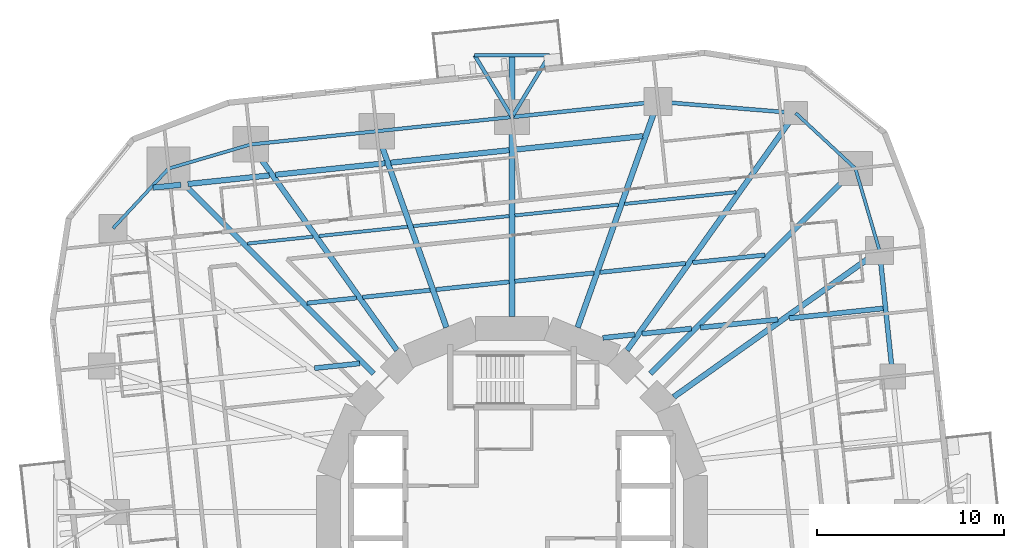
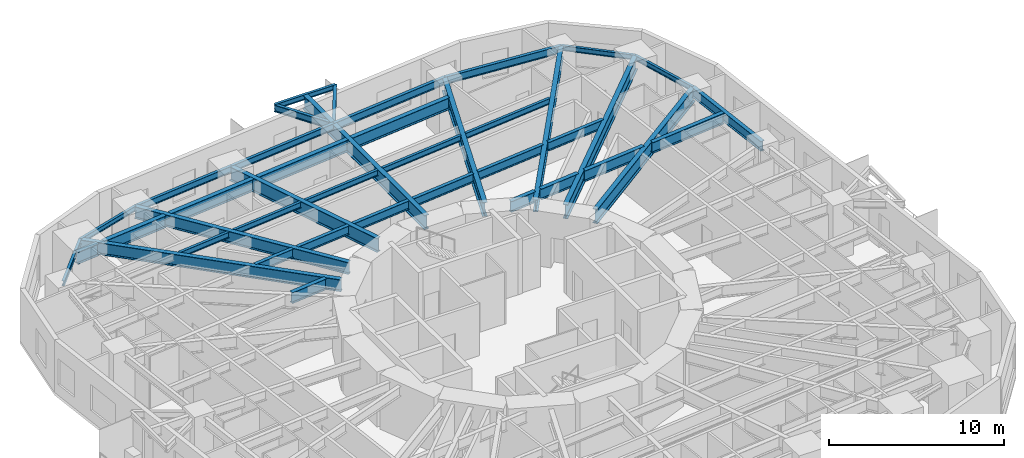
# One storey, part 3 of 14: 41 beams.
"""IFC4 building model written with IfcOpenShell, lengths in metres."""

from ifc_helpers import new_model, si_unit, direction, frame, origin, origin_2d, place, context, subcontext, project, spatial, i_section, extrude, material, material_profile, profile_set, type_object, element, save


model = new_model("IFC4")

# Units and contexts
model_context = context("Model", 3, precision=1e-05, world=origin(), true_north=direction((0.0, 1.0)))
body_context = subcontext(model_context, "Body", "Model", "MODEL_VIEW")
ifc_project = project(units=[si_unit("LENGTHUNIT", "METRE"), si_unit("AREAUNIT", "SQUARE_METRE"), si_unit("VOLUMEUNIT", "CUBIC_METRE"), si_unit("PLANEANGLEUNIT", "RADIAN"), si_unit("MASSUNIT", "GRAM", prefix="KILO")], contexts=[model_context])

# Site, building, storey
site_placement = place(None, origin())
site = spatial("IfcSite", under=ifc_project, at=site_placement, CompositionType="ELEMENT")
building_placement = place(site_placement, origin())
building = spatial("IfcBuilding", under=site, at=building_placement, Name="Nakasero Lantern House", CompositionType="ELEMENT")
storey_placement = place(building_placement, frame((0.0, 0.0, 87.449951171875)))
storey = spatial("IfcBuildingStorey", under=building, at=storey_placement, Name="L21", CompositionType="ELEMENT", Elevation=87.449951171875)

# Beams
ifc_material_1 = material(Name="Steel S355", Category="steel")
ifc_material_profile_1 = material_profile(ifc_material_1, i_section(OverallWidth=0.199462890625, OverallDepth=0.491943359375, WebThickness=0.01806640625, FlangeThickness=0.031982421875, FilletRadius=0.01025390625, at=origin_2d()), Name="UB 457x191x161")
ifc_profile_set_1 = profile_set([ifc_material_profile_1], Name="Steel S355")
beam_type_1 = type_object("IfcBeamType", Name="Balcony splay beam UB 457x191x161", PredefinedType="BEAM", material=ifc_profile_set_1)
for number, where, z_axis, x_axis, name in (
    (1, (0.0, 21.11572265625, 3.404052734375), (-0.518296107317, 0.855201230787, 0.0), (-0.855201230787, -0.518296107317, 0.0), "Balcony splay beam L22 B2-C09A"),
    (2, (0.0, 21.11572265625, 3.404052734375), (0.518296107317, 0.855201230787, 0.0), (-0.855201230787, 0.518296107317, 0.0), "Balcony splay beam L22 B2-C09B"),
):
    element("IfcBeam", number, at=place(storey_placement, frame(where, z_axis=z_axis, x_axis=x_axis)), inside=storey, type_object=beam_type_1, Name=name, PredefinedType="BEAM", context=body_context, shape_type="SweptSolid", body=[
        extrude(i_section(OverallWidth=0.199462890625, OverallDepth=0.491943359375, WebThickness=0.01806640625, FlangeThickness=0.031982421875, FilletRadius=0.01025390625, at=origin_2d()), origin(), (0.0, 0.0, 1.0), 3.85888671875),
    ])
ifc_material_2 = material(Name="Steel S355", Category="steel")
ifc_material_profile_2 = material_profile(ifc_material_2, i_section(OverallWidth=0.17138671875, OverallDepth=0.35498046875, WebThickness=0.00732421875, FlangeThickness=0.011474609375, FilletRadius=0.01025390625, at=origin_2d()), Name="UB 356x171x51")
ifc_profile_set_2 = profile_set([ifc_material_profile_2], Name="Steel S355")
beam_type_2 = type_object("IfcBeamType", Name="Balcony tie beam UB 356x171x51", PredefinedType="BEAM", material=ifc_profile_set_2)
beam_1_placement = place(storey_placement, frame((-2.0, 24.415771484375, 3.47265625), z_axis=(1.0, 0.0, 0.0), x_axis=(0.0, 1.0, 0.0)))
element("IfcBeam", 3, at=beam_1_placement, inside=storey, type_object=beam_type_2, Name="Balcony tie beam L22 B2-C09", PredefinedType="BEAM", context=body_context, shape_type="SweptSolid", body=[
    extrude(i_section(OverallWidth=0.17138671875, OverallDepth=0.35498046875, WebThickness=0.00732421875, FlangeThickness=0.011474609375, FilletRadius=0.01025390625, at=origin_2d()), origin(), (0.0, 0.0, 1.0), 4.0),
])
ifc_material_3 = material(Name="Steel S355", Category="steel")
ifc_material_profile_3 = material_profile(ifc_material_3, i_section(OverallWidth=0.177978515625, OverallDepth=0.406494140625, WebThickness=0.0078125, FlangeThickness=0.0126953125, FilletRadius=0.01025390625, at=origin_2d()), Name="UB 406x178x60")
ifc_profile_set_3 = profile_set([ifc_material_profile_3], Name="Steel S355")
beam_type_3 = type_object("IfcBeamType", Name="Infill beam UB 406x178x60", PredefinedType="JOIST", material=ifc_profile_set_3)
beam_2_placement = place(storey_placement, frame((-14.1435546875, 14.35009765625, 3.44677734375), z_axis=(0.994521415391, 0.104533029842, 0.0), x_axis=(-0.104533029842, 0.994521415391, 0.0)))
element("IfcBeam", 4, at=beam_2_placement, inside=storey, type_object=beam_type_3, Name="Infill beam L22 12.3", PredefinedType="JOIST", context=body_context, shape_type="SweptSolid", body=[
    extrude(i_section(OverallWidth=0.177978515625, OverallDepth=0.406494140625, WebThickness=0.0078125, FlangeThickness=0.0126953125, FilletRadius=0.01025390625, at=origin_2d()), origin(), (0.0, 0.0, 1.0), 3.517333984375),
])
beam_3_placement = place(storey_placement, frame((-10.3115234375, 14.7529296875, 3.44677734375), z_axis=(0.994523439889, 0.104513767091, 0.0), x_axis=(-0.104513767091, 0.994523439889, 0.0)))
element("IfcBeam", 5, at=beam_3_placement, inside=storey, type_object=beam_type_3, Name="Infill beam L22 12.4", PredefinedType="JOIST", context=body_context, shape_type="SweptSolid", body=[
    extrude(i_section(OverallWidth=0.177978515625, OverallDepth=0.406494140625, WebThickness=0.0078125, FlangeThickness=0.0126953125, FilletRadius=0.01025390625, at=origin_2d()), origin(), (0.0, 0.0, 1.0), 4.756103515625),
])
beam_4_placement = place(storey_placement, frame((-5.2744140625, 15.282470703125, 3.44677734375), z_axis=(0.994522574566, 0.104522000929, 0.0), x_axis=(-0.104522000929, 0.994522574566, 0.0)))
element("IfcBeam", 6, at=beam_4_placement, inside=storey, type_object=beam_type_3, Name="Infill beam L22 12.5", PredefinedType="JOIST", context=body_context, shape_type="SweptSolid", body=[
    extrude(i_section(OverallWidth=0.177978515625, OverallDepth=0.406494140625, WebThickness=0.0078125, FlangeThickness=0.0126953125, FilletRadius=0.01025390625, at=origin_2d()), origin(), (0.0, 0.0, 1.0), 5.15283203125),
])
beam_5_placement = place(storey_placement, frame((0.14990234375, 15.8525390625, 3.44677734375), z_axis=(0.994524188375, 0.104506644464, 0.0), x_axis=(-0.104506644464, 0.994524188375, 0.0)))
element("IfcBeam", 7, at=beam_5_placement, inside=storey, type_object=beam_type_3, Name="Infill beam L22 12.6", PredefinedType="JOIST", context=body_context, shape_type="SweptSolid", body=[
    extrude(i_section(OverallWidth=0.177978515625, OverallDepth=0.406494140625, WebThickness=0.0078125, FlangeThickness=0.0126953125, FilletRadius=0.01025390625, at=origin_2d()), origin(), (0.0, 0.0, 1.0), 5.564697265625),
])
beam_6_placement = place(storey_placement, frame((6.014892578125, 16.468994140625, 3.44677734375), z_axis=(0.994521729164, 0.104530044579, 0.0), x_axis=(-0.104530044579, 0.994521729164, 0.0)))
element("IfcBeam", 8, at=beam_6_placement, inside=storey, type_object=beam_type_3, Name="Infill beam L22 12.7", PredefinedType="JOIST", context=body_context, shape_type="SweptSolid", body=[
    extrude(i_section(OverallWidth=0.177978515625, OverallDepth=0.406494140625, WebThickness=0.0078125, FlangeThickness=0.0126953125, FilletRadius=0.01025390625, at=origin_2d()), origin(), (0.0, 0.0, 1.0), 5.99560546875),
])
ifc_material_4 = material(Name="Steel S355", Category="steel")
ifc_material_profile_4 = material_profile(ifc_material_4, i_section(OverallWidth=0.22900390625, OverallDepth=0.6123046875, WebThickness=0.011962890625, FlangeThickness=0.01953125, FilletRadius=0.0126953125, at=origin_2d()), Name="UB 610x229x125")
ifc_profile_set_4 = profile_set([ifc_material_profile_4], Name="Steel S355")
beam_type_4 = type_object("IfcBeamType", Name="Infill beam UB 610x229x125", PredefinedType="JOIST", material=ifc_profile_set_4)
beam_7_placement = place(storey_placement, frame((-10.958984375, 11.165771484375, 3.343994140625), z_axis=(0.994526079282, 0.104488648322, 0.0), x_axis=(-0.104488648322, 0.994526079282, 0.0)))
element("IfcBeam", 9, at=beam_7_placement, inside=storey, type_object=beam_type_4, Name="Infill beam L22 11.3", PredefinedType="JOIST", context=body_context, shape_type="SweptSolid", body=[
    extrude(i_section(OverallWidth=0.22900390625, OverallDepth=0.6123046875, WebThickness=0.011962890625, FlangeThickness=0.01953125, FilletRadius=0.0126953125, at=origin_2d()), origin(), (0.0, 0.0, 1.0), 2.65673828125),
])
beam_8_placement = place(storey_placement, frame((-7.983154296875, 11.478515625, 3.343994140625), z_axis=(0.994523507044, 0.104513128058, 0.0), x_axis=(-0.104513128058, 0.994523507044, 0.0)))
element("IfcBeam", 10, at=beam_8_placement, inside=storey, type_object=beam_type_4, Name="Infill beam L22 11.4", PredefinedType="JOIST", context=body_context, shape_type="SweptSolid", body=[
    extrude(i_section(OverallWidth=0.22900390625, OverallDepth=0.6123046875, WebThickness=0.011962890625, FlangeThickness=0.01953125, FilletRadius=0.0126953125, at=origin_2d()), origin(), (0.0, 0.0, 1.0), 3.627685546875),
])
beam_9_placement = place(storey_placement, frame((-4.068359375, 11.889892578125, 3.343994140625), z_axis=(0.994521399206, 0.104533183829, 0.0), x_axis=(-0.104533183829, 0.994521399206, 0.0)))
element("IfcBeam", 11, at=beam_9_placement, inside=storey, type_object=beam_type_4, Name="Infill beam L22 11.5", PredefinedType="JOIST", context=body_context, shape_type="SweptSolid", body=[
    extrude(i_section(OverallWidth=0.22900390625, OverallDepth=0.6123046875, WebThickness=0.011962890625, FlangeThickness=0.01953125, FilletRadius=0.0126953125, at=origin_2d()), origin(), (0.0, 0.0, 1.0), 3.93994140625),
])
beam_10_placement = place(storey_placement, frame((0.14990234375, 12.333251953125, 3.343994140625), z_axis=(0.994521465317, 0.104532554847, 0.0), x_axis=(-0.104532554847, 0.994521465317, 0.0)))
element("IfcBeam", 12, at=beam_10_placement, inside=storey, type_object=beam_type_4, Name="Infill beam L22 11.6", PredefinedType="JOIST", context=body_context, shape_type="SweptSolid", body=[
    extrude(i_section(OverallWidth=0.22900390625, OverallDepth=0.6123046875, WebThickness=0.011962890625, FlangeThickness=0.01953125, FilletRadius=0.0126953125, at=origin_2d()), origin(), (0.0, 0.0, 1.0), 4.2578125),
])
beam_11_placement = place(storey_placement, frame((4.71484375, 12.81298828125, 3.343994140625), z_axis=(0.994522952874, 0.104518401282, 0.0), x_axis=(-0.104518401282, 0.994522952874, 0.0)))
element("IfcBeam", 13, at=beam_11_placement, inside=storey, type_object=beam_type_4, Name="Infill beam L22 11.7", PredefinedType="JOIST", context=body_context, shape_type="SweptSolid", body=[
    extrude(i_section(OverallWidth=0.22900390625, OverallDepth=0.6123046875, WebThickness=0.011962890625, FlangeThickness=0.01953125, FilletRadius=0.0126953125, at=origin_2d()), origin(), (0.0, 0.0, 1.0), 4.5830078125),
])
beam_12_placement = place(storey_placement, frame((9.66064453125, 13.332763671875, 3.343994140625), z_axis=(0.99451886442, 0.10455729679, 0.0), x_axis=(-0.10455729679, 0.99451886442, 0.0)))
element("IfcBeam", 14, at=beam_12_placement, inside=storey, type_object=beam_type_4, Name="Infill beam L22 11.8", PredefinedType="JOIST", context=body_context, shape_type="SweptSolid", body=[
    extrude(i_section(OverallWidth=0.22900390625, OverallDepth=0.6123046875, WebThickness=0.011962890625, FlangeThickness=0.01953125, FilletRadius=0.0126953125, at=origin_2d()), origin(), (0.0, 0.0, 1.0), 3.8876953125),
])
ifc_material_5 = material(Name="Steel S355", Category="steel")
ifc_material_profile_5 = material_profile(ifc_material_5, i_section(OverallWidth=0.2666015625, OverallDepth=0.76220703125, WebThickness=0.014404296875, FlangeThickness=0.021484375, FilletRadius=0.0166015625, at=origin_2d()), Name="UB 762x267x173")
ifc_profile_set_5 = profile_set([ifc_material_profile_5], Name="Steel S355")
beam_type_5 = type_object("IfcBeamType", Name="Infill beam UB 762x267x173", PredefinedType="JOIST", material=ifc_profile_set_5)
beam_13_placement = place(storey_placement, frame((-10.5537109375, 7.68896484375, 3.26904296875), z_axis=(0.99452700398, 0.104479846642, 0.0), x_axis=(-0.104479846642, 0.99452700398, 0.0)))
element("IfcBeam", 15, at=beam_13_placement, inside=storey, type_object=beam_type_5, Name="Infill beam L22 10.3", PredefinedType="JOIST", context=body_context, shape_type="SweptSolid", body=[
    extrude(i_section(OverallWidth=0.2666015625, OverallDepth=0.76220703125, WebThickness=0.014404296875, FlangeThickness=0.021484375, FilletRadius=0.0166015625, at=origin_2d()), origin(), (0.0, 0.0, 1.0), 2.41845703125),
])
beam_14_placement = place(storey_placement, frame((4.85498046875, 9.30859375, 3.26904296875), z_axis=(0.994529501552, 0.104456069922, 0.0), x_axis=(-0.104456069922, 0.994529501552, 0.0)))
element("IfcBeam", 16, at=beam_14_placement, inside=storey, type_object=beam_type_5, Name="Infill beam L22 10.4", PredefinedType="JOIST", context=body_context, shape_type="SweptSolid", body=[
    extrude(i_section(OverallWidth=0.2666015625, OverallDepth=0.76220703125, WebThickness=0.014404296875, FlangeThickness=0.021484375, FilletRadius=0.0166015625, at=origin_2d()), origin(), (0.0, 0.0, 1.0), 1.72265625),
])
beam_15_placement = place(storey_placement, frame((6.955810546875, 9.529296875, 3.26904296875), z_axis=(0.994521575627, 0.104531505358, 0.0), x_axis=(-0.104531505358, 0.994521575627, 0.0)))
element("IfcBeam", 17, at=beam_15_placement, inside=storey, type_object=beam_type_5, Name="Infill beam L22 10.5", PredefinedType="JOIST", context=body_context, shape_type="SweptSolid", body=[
    extrude(i_section(OverallWidth=0.2666015625, OverallDepth=0.76220703125, WebThickness=0.014404296875, FlangeThickness=0.021484375, FilletRadius=0.0166015625, at=origin_2d()), origin(), (0.0, 0.0, 1.0), 2.6533203125),
])
beam_16_placement = place(storey_placement, frame((10.068603515625, 9.8564453125, 3.26904296875), z_axis=(0.994522134672, 0.104526186418, 0.0), x_axis=(-0.104526186418, 0.994522134672, 0.0)))
element("IfcBeam", 18, at=beam_16_placement, inside=storey, type_object=beam_type_5, Name="Infill beam L22 10.6", PredefinedType="JOIST", context=body_context, shape_type="SweptSolid", body=[
    extrude(i_section(OverallWidth=0.2666015625, OverallDepth=0.76220703125, WebThickness=0.014404296875, FlangeThickness=0.021484375, FilletRadius=0.0166015625, at=origin_2d()), origin(), (0.0, 0.0, 1.0), 4.166748046875),
])
beam_17_placement = place(storey_placement, frame((14.823974609375, 10.356201171875, 3.26904296875), z_axis=(0.994520551882, 0.104541244898, 0.0), x_axis=(-0.104541244898, 0.994520551882, 0.0)))
element("IfcBeam", 19, at=beam_17_placement, inside=storey, type_object=beam_type_5, Name="Infill beam L22 10.7", PredefinedType="JOIST", context=body_context, shape_type="SweptSolid", body=[
    extrude(i_section(OverallWidth=0.2666015625, OverallDepth=0.76220703125, WebThickness=0.014404296875, FlangeThickness=0.021484375, FilletRadius=0.0166015625, at=origin_2d()), origin(), (0.0, 0.0, 1.0), 5.046630859375),
])
ifc_material_6 = material(Name="Steel S355", Category="steel")
ifc_material_profile_6 = material_profile(ifc_material_6, i_section(OverallWidth=0.29248046875, OverallDepth=0.8408203125, WebThickness=0.0146484375, FlangeThickness=0.02685546875, FilletRadius=0.017822265625, at=origin_2d()), Name="UB 838x292x194")
ifc_profile_set_6 = profile_set([ifc_material_profile_6], Name="Steel S355")
beam_type_6 = type_object("IfcBeamType", Name="Infill beam UB 838x292x194", PredefinedType="JOIST", material=ifc_profile_set_6)
beam_18_placement = place(storey_placement, frame((-19.190673828125, 17.339111328125, 3.229736328125), z_axis=(0.994535800288, 0.104396082038, 0.0), x_axis=(-0.104396082038, 0.994535800288, 0.0)))
element("IfcBeam", 20, at=beam_18_placement, inside=storey, type_object=beam_type_6, Name="Infill beam L22 13.1", PredefinedType="JOIST", context=body_context, shape_type="SweptSolid", body=[
    extrude(i_section(OverallWidth=0.29248046875, OverallDepth=0.8408203125, WebThickness=0.0146484375, FlangeThickness=0.02685546875, FilletRadius=0.017822265625, at=origin_2d()), origin(), (0.0, 0.0, 1.0), 1.49658203125),
])
beam_19_placement = place(storey_placement, frame((-17.328125, 17.53466796875, 3.229736328125), z_axis=(0.994518584312, 0.104559961062, 0.0), x_axis=(-0.104559961062, 0.994518584312, 0.0)))
element("IfcBeam", 21, at=beam_19_placement, inside=storey, type_object=beam_type_6, Name="Infill beam L22 13.2", PredefinedType="JOIST", context=body_context, shape_type="SweptSolid", body=[
    extrude(i_section(OverallWidth=0.29248046875, OverallDepth=0.8408203125, WebThickness=0.0146484375, FlangeThickness=0.02685546875, FilletRadius=0.017822265625, at=origin_2d()), origin(), (0.0, 0.0, 1.0), 4.3779296875),
])
beam_20_placement = place(storey_placement, frame((-12.64013671875, 18.027587890625, 3.229736328125), z_axis=(0.994524304789, 0.104505536616, 0.0), x_axis=(-0.104505536616, 0.994524304789, 0.0)))
element("IfcBeam", 22, at=beam_20_placement, inside=storey, type_object=beam_type_6, Name="Infill beam L22 13.3", PredefinedType="JOIST", context=body_context, shape_type="SweptSolid", body=[
    extrude(i_section(OverallWidth=0.29248046875, OverallDepth=0.8408203125, WebThickness=0.0146484375, FlangeThickness=0.02685546875, FilletRadius=0.017822265625, at=origin_2d()), origin(), (0.0, 0.0, 1.0), 5.884765625),
])
beam_21_placement = place(storey_placement, frame((-6.480712890625, 18.6748046875, 3.229736328125), z_axis=(0.994519733917, 0.104549026056, 0.0), x_axis=(-0.104549026056, 0.994519733917, 0.0)))
element("IfcBeam", 23, at=beam_21_placement, inside=storey, type_object=beam_type_6, Name="Infill beam L22 13.4", PredefinedType="JOIST", context=body_context, shape_type="SweptSolid", body=[
    extrude(i_section(OverallWidth=0.29248046875, OverallDepth=0.8408203125, WebThickness=0.0146484375, FlangeThickness=0.02685546875, FilletRadius=0.017822265625, at=origin_2d()), origin(), (0.0, 0.0, 1.0), 6.36572265625),
])
beam_22_placement = place(storey_placement, frame((0.14990234375, 19.371826171875, 3.229736328125), z_axis=(0.994522182542, 0.10452573096, 0.0), x_axis=(-0.10452573096, 0.994522182542, 0.0)))
element("IfcBeam", 24, at=beam_22_placement, inside=storey, type_object=beam_type_6, Name="Infill beam L22 13.5", PredefinedType="JOIST", context=body_context, shape_type="SweptSolid", body=[
    extrude(i_section(OverallWidth=0.29248046875, OverallDepth=0.8408203125, WebThickness=0.0146484375, FlangeThickness=0.02685546875, FilletRadius=0.017822265625, at=origin_2d()), origin(), (0.0, 0.0, 1.0), 6.87158203125),
])
ifc_material_7 = material(Name="Steel S355", Category="steel")
ifc_material_profile_7 = material_profile(ifc_material_7, i_section(OverallWidth=0.300048828125, OverallDepth=0.97998046875, WebThickness=0.0166015625, FlangeThickness=0.02587890625, FilletRadius=0.030029296875, at=origin_2d()), Name="UB 1016x305x249")
ifc_profile_set_7 = profile_set([ifc_material_profile_7], Name="Steel S355")
beam_type_7 = type_object("IfcBeamType", Name="Primary beam UB 1016x305x249, span 12 to 15 m", PredefinedType="BEAM", material=ifc_profile_set_7)
beam_23_placement = place(storey_placement, frame((7.79931640625, 21.935302734375, 3.159912109375), z_axis=(-0.335017564047, -0.942211882636, 0.0), x_axis=(0.942211882636, -0.335017564047, 0.0)))
element("IfcBeam", 25, at=beam_23_placement, inside=storey, type_object=beam_type_7, Name="Primary beam L22 B2-C08", PredefinedType="BEAM", context=body_context, shape_type="SweptSolid", body=[
    extrude(i_section(OverallWidth=0.300048828125, OverallDepth=0.97998046875, WebThickness=0.0166015625, FlangeThickness=0.02587890625, FilletRadius=0.030029296875, at=origin_2d()), origin(), (0.0, 0.0, 1.0), 12.80908203125),
])
ifc_material_8 = material(Name="Steel S355", Category="steel")
ifc_material_profile_8 = material_profile(ifc_material_8, i_section(OverallWidth=0.300048828125, OverallDepth=0.97998046875, WebThickness=0.0166015625, FlangeThickness=0.02587890625, FilletRadius=0.030029296875, at=origin_2d()), Name="UB 1016x305x249")
ifc_profile_set_8 = profile_set([ifc_material_profile_8], Name="Steel S355")
beam_type_8 = type_object("IfcBeamType", Name="Primary beam UB 1016x305x249, span 9 to 12 m", PredefinedType="BEAM", material=ifc_profile_set_8)
beam_24_placement = place(storey_placement, frame((-7.2373046875, 20.35498046875, 3.159912109375), z_axis=(0.335009234979, -0.942214844119, 0.0), x_axis=(0.942214844119, 0.335009234979, 0.0)))
element("IfcBeam", 26, at=beam_24_placement, inside=storey, type_object=beam_type_8, Name="Primary beam L22 B2-C10", PredefinedType="BEAM", context=body_context, shape_type="SweptSolid", body=[
    extrude(i_section(OverallWidth=0.300048828125, OverallDepth=0.97998046875, WebThickness=0.0166015625, FlangeThickness=0.02587890625, FilletRadius=0.030029296875, at=origin_2d()), origin(), (0.0, 0.0, 1.0), 11.1318359375),
])
ifc_material_9 = material(Name="Steel S355", Category="steel")
ifc_material_profile_9 = material_profile(ifc_material_9, i_section(OverallWidth=0.300048828125, OverallDepth=1.0, WebThickness=0.01904296875, FlangeThickness=0.035888671875, FilletRadius=0.030029296875, at=origin_2d()), Name="UB 1016x305x314")
ifc_profile_set_9 = profile_set([ifc_material_profile_9], Name="Steel S355")
beam_type_9 = type_object("IfcBeamType", Name="Primary beam UB 1016x305x314, span 9 to 12 m", PredefinedType="BEAM", material=ifc_profile_set_9)
beam_25_placement = place(storey_placement, frame((0.0, 24.415771484375, 3.150146484375), z_axis=(0.0, -1.0, 0.0), x_axis=(1.0, 0.0, 0.0)))
element("IfcBeam", 27, at=beam_25_placement, inside=storey, type_object=beam_type_9, Name="Primary beam L22 B2-C09", PredefinedType="BEAM", context=body_context, shape_type="SweptSolid", body=[
    extrude(i_section(OverallWidth=0.300048828125, OverallDepth=1.0, WebThickness=0.01904296875, FlangeThickness=0.035888671875, FilletRadius=0.030029296875, at=origin_2d()), origin(), (0.0, 0.0, 1.0), 13.9580078125),
])
ifc_material_10 = material(Name="Steel S355", Category="steel")
ifc_material_profile_10 = material_profile(ifc_material_10, i_section(OverallWidth=0.300048828125, OverallDepth=1.0, WebThickness=0.01904296875, FlangeThickness=0.035888671875, FilletRadius=0.030029296875, at=origin_2d()), Name="UB 1016x305x314")
ifc_profile_set_10 = profile_set([ifc_material_profile_10], Name="Steel S355")
beam_type_10 = type_object("IfcBeamType", Name="Primary beam UB 1016x305x314, span over 15 m", PredefinedType="BEAM", material=ifc_profile_set_10)
beam_26_placement = place(storey_placement, frame((18.359375, 18.359375, 3.150146484375), z_axis=(-0.707106781187, -0.707106781187, 0.0), x_axis=(0.707106781187, -0.707106781187, 0.0)))
element("IfcBeam", 28, at=beam_26_placement, inside=storey, type_object=beam_type_10, Name="Primary beam L22 B2-C06", PredefinedType="BEAM", context=body_context, shape_type="SweptSolid", body=[
    extrude(i_section(OverallWidth=0.300048828125, OverallDepth=1.0, WebThickness=0.01904296875, FlangeThickness=0.035888671875, FilletRadius=0.030029296875, at=origin_2d()), origin(), (0.0, 0.0, 1.0), 15.50634765625),
])
ifc_material_11 = material(Name="Steel S355", Category="steel")
ifc_material_profile_11 = material_profile(ifc_material_11, i_section(OverallWidth=0.302001953125, OverallDepth=1.008056640625, WebThickness=0.02099609375, FlangeThickness=0.0400390625, FilletRadius=0.030029296875, at=origin_2d()), Name="UB 1016x305x349")
ifc_profile_set_11 = profile_set([ifc_material_profile_11], Name="Steel S355")
beam_type_11 = type_object("IfcBeamType", Name="Primary beam UB 1016x305x349, span 12 to 15 m", PredefinedType="BEAM", material=ifc_profile_set_11)
beam_27_placement = place(storey_placement, frame((19.647216796875, 13.971435546875, 3.14599609375), z_axis=(-0.814948492976, -0.579533393168, 0.0), x_axis=(0.579533393168, -0.814948492976, 0.0)))
element("IfcBeam", 29, at=beam_27_placement, inside=storey, type_object=beam_type_11, Name="Primary beam L22 B2-C05", PredefinedType="BEAM", context=body_context, shape_type="SweptSolid", body=[
    extrude(i_section(OverallWidth=0.302001953125, OverallDepth=1.008056640625, WebThickness=0.02099609375, FlangeThickness=0.0400390625, FilletRadius=0.030029296875, at=origin_2d()), origin(), (0.0, 0.0, 1.0), 13.502685546875),
])
ifc_material_12 = material(Name="Steel S355", Category="steel")
ifc_material_profile_12 = material_profile(ifc_material_12, i_section(OverallWidth=0.29248046875, OverallDepth=0.8408203125, WebThickness=0.0146484375, FlangeThickness=0.02685546875, FilletRadius=0.017822265625, at=origin_2d()), Name="UB 838x292x194")
ifc_profile_set_12 = profile_set([ifc_material_profile_12], Name="Steel S355")
beam_type_12 = type_object("IfcBeamType", Name="Primary beam UB 838x292x194, span 12 to 15 m", PredefinedType="BEAM", material=ifc_profile_set_12)
beam_28_placement = place(storey_placement, frame((-13.971435546875, 19.647216796875, 3.229736328125), z_axis=(0.579533393168, -0.814948492976, 0.0), x_axis=(0.814948492976, 0.579533393168, 0.0)))
element("IfcBeam", 30, at=beam_28_placement, inside=storey, type_object=beam_type_12, Name="Primary beam L22 B2-C11", PredefinedType="BEAM", context=body_context, shape_type="SweptSolid", body=[
    extrude(i_section(OverallWidth=0.29248046875, OverallDepth=0.8408203125, WebThickness=0.0146484375, FlangeThickness=0.02685546875, FilletRadius=0.017822265625, at=origin_2d()), origin(), (0.0, 0.0, 1.0), 13.502685546875),
])
ifc_material_13 = material(Name="Steel S355", Category="steel")
ifc_material_profile_13 = material_profile(ifc_material_13, i_section(OverallWidth=0.29248046875, OverallDepth=0.8408203125, WebThickness=0.0146484375, FlangeThickness=0.02685546875, FilletRadius=0.017822265625, at=origin_2d()), Name="UB 838x292x194")
ifc_profile_set_13 = profile_set([ifc_material_profile_13], Name="Steel S355")
beam_type_13 = type_object("IfcBeamType", Name="Primary beam UB 838x292x194, span over 15 m", PredefinedType="BEAM", material=ifc_profile_set_13)
beam_29_placement = place(storey_placement, frame((15.16650390625, 21.327880859375, 3.229736328125), z_axis=(-0.57952911085, -0.814951538239, 0.0), x_axis=(0.814951538239, -0.57952911085, 0.0)))
element("IfcBeam", 31, at=beam_29_placement, inside=storey, type_object=beam_type_13, Name="Primary beam L22 B2-C07", PredefinedType="BEAM", context=body_context, shape_type="SweptSolid", body=[
    extrude(i_section(OverallWidth=0.29248046875, OverallDepth=0.8408203125, WebThickness=0.0146484375, FlangeThickness=0.02685546875, FilletRadius=0.017822265625, at=origin_2d()), origin(), (0.0, 0.0, 1.0), 15.564697265625),
])
beam_30_placement = place(storey_placement, frame((-18.359375, 18.359375, 3.229736328125), z_axis=(0.707106781187, -0.707106781187, 0.0), x_axis=(0.707106781187, 0.707106781187, 0.0)))
element("IfcBeam", 32, at=beam_30_placement, inside=storey, type_object=beam_type_13, Name="Primary beam L22 B2-C12", PredefinedType="BEAM", context=body_context, shape_type="SweptSolid", body=[
    extrude(i_section(OverallWidth=0.29248046875, OverallDepth=0.8408203125, WebThickness=0.0146484375, FlangeThickness=0.02685546875, FilletRadius=0.017822265625, at=origin_2d()), origin(), (0.0, 0.0, 1.0), 15.50634765625),
])
ifc_material_14 = material(Name="Steel S355", Category="steel")
ifc_material_profile_14 = material_profile(ifc_material_14, i_section(OverallWidth=0.17138671875, OverallDepth=0.35498046875, WebThickness=0.00732421875, FlangeThickness=0.011474609375, FilletRadius=0.01025390625, at=origin_2d()), Name="UB 356x171x51")
ifc_profile_set_14 = profile_set([ifc_material_profile_14], Name="Steel S355")
beam_type_14 = type_object("IfcBeamType", Name="Ring beam UB 356x171x51", PredefinedType="BEAM", material=ifc_profile_set_14)
beam_31_placement = place(storey_placement, frame((19.647216796875, 13.971435546875, 3.47265625), z_axis=(-0.28161710443, 0.959526865957, 0.0), x_axis=(-0.959526865957, -0.28161710443, 0.0)))
element("IfcBeam", 33, at=beam_31_placement, inside=storey, type_object=beam_type_14, Name="Ring beam L22 B2-C05", PredefinedType="BEAM", context=body_context, shape_type="SweptSolid", body=[
    extrude(i_section(OverallWidth=0.17138671875, OverallDepth=0.35498046875, WebThickness=0.00732421875, FlangeThickness=0.011474609375, FilletRadius=0.01025390625, at=origin_2d()), origin(), (0.0, 0.0, 1.0), 4.572998046875),
])
beam_32_placement = place(storey_placement, frame((18.359375, 18.359375, 3.47265625), z_axis=(-0.732370510336, 0.680906333933, 0.0), x_axis=(-0.680906333933, -0.732370510336, 0.0)))
element("IfcBeam", 34, at=beam_32_placement, inside=storey, type_object=beam_type_14, Name="Ring beam L22 B2-C06", PredefinedType="BEAM", context=body_context, shape_type="SweptSolid", body=[
    extrude(i_section(OverallWidth=0.17138671875, OverallDepth=0.35498046875, WebThickness=0.00732421875, FlangeThickness=0.011474609375, FilletRadius=0.01025390625, at=origin_2d()), origin(), (0.0, 0.0, 1.0), 4.359619140625),
])
beam_33_placement = place(storey_placement, frame((-13.971435546875, 19.647216796875, 3.47265625), z_axis=(-0.959526865957, -0.28161710443, 0.0), x_axis=(0.28161710443, -0.959526865957, 0.0)))
element("IfcBeam", 35, at=beam_33_placement, inside=storey, type_object=beam_type_14, Name="Ring beam L22 B2-C11", PredefinedType="BEAM", context=body_context, shape_type="SweptSolid", body=[
    extrude(i_section(OverallWidth=0.17138671875, OverallDepth=0.35498046875, WebThickness=0.00732421875, FlangeThickness=0.011474609375, FilletRadius=0.01025390625, at=origin_2d()), origin(), (0.0, 0.0, 1.0), 4.572998046875),
])
beam_34_placement = place(storey_placement, frame((-18.359375, 18.359375, 3.47265625), z_axis=(-0.680906333933, -0.732370510336, 0.0), x_axis=(0.732370510336, -0.680906333933, 0.0)))
element("IfcBeam", 36, at=beam_34_placement, inside=storey, type_object=beam_type_14, Name="Ring beam L22 B2-C12", PredefinedType="BEAM", context=body_context, shape_type="SweptSolid", body=[
    extrude(i_section(OverallWidth=0.17138671875, OverallDepth=0.35498046875, WebThickness=0.00732421875, FlangeThickness=0.011474609375, FilletRadius=0.01025390625, at=origin_2d()), origin(), (0.0, 0.0, 1.0), 4.359619140625),
])
ifc_material_15 = material(Name="Steel S355", Category="steel")
ifc_material_profile_15 = material_profile(ifc_material_15, i_section(OverallWidth=0.18994140625, OverallDepth=0.453369140625, WebThickness=0.008544921875, FlangeThickness=0.0126953125, FilletRadius=0.01025390625, at=origin_2d()), Name="UB 457x191x67")
ifc_profile_set_15 = profile_set([ifc_material_profile_15], Name="Steel S355")
beam_type_15 = type_object("IfcBeamType", Name="Ring beam UB 457x191x67", PredefinedType="BEAM", material=ifc_profile_set_15)
beam_35_placement = place(storey_placement, frame((-7.2373046875, 20.35498046875, 3.42333984375), z_axis=(-0.994522233155, -0.10452524939, 0.0), x_axis=(0.10452524939, -0.994522233155, 0.0)))
element("IfcBeam", 37, at=beam_35_placement, inside=storey, type_object=beam_type_15, Name="Ring beam L22 B2-C10", PredefinedType="BEAM", context=body_context, shape_type="SweptSolid", body=[
    extrude(i_section(OverallWidth=0.18994140625, OverallDepth=0.453369140625, WebThickness=0.008544921875, FlangeThickness=0.0126953125, FilletRadius=0.01025390625, at=origin_2d()), origin(), (0.0, 0.0, 1.0), 6.771240234375),
])
ifc_material_16 = material(Name="Steel S355", Category="steel")
ifc_material_profile_16 = material_profile(ifc_material_16, i_section(OverallWidth=0.19140625, OverallDepth=0.4599609375, WebThickness=0.010009765625, FlangeThickness=0.01611328125, FilletRadius=0.01025390625, at=origin_2d()), Name="UB 457x191x82")
ifc_profile_set_16 = profile_set([ifc_material_profile_16], Name="Steel S355")
beam_type_16 = type_object("IfcBeamType", Name="Ring beam UB 457x191x82", PredefinedType="BEAM", material=ifc_profile_set_16)
beam_36_placement = place(storey_placement, frame((0.0, 21.11572265625, 3.420166015625), z_axis=(-0.994520883746, -0.104538087767, 0.0), x_axis=(0.104538087767, -0.994520883746, 0.0)))
element("IfcBeam", 38, at=beam_36_placement, inside=storey, type_object=beam_type_16, Name="Ring beam L22 B2-C09", PredefinedType="BEAM", context=body_context, shape_type="SweptSolid", body=[
    extrude(i_section(OverallWidth=0.19140625, OverallDepth=0.4599609375, WebThickness=0.010009765625, FlangeThickness=0.01611328125, FilletRadius=0.01025390625, at=origin_2d()), origin(), (0.0, 0.0, 1.0), 7.277099609375),
])
ifc_material_17 = material(Name="Steel S355", Category="steel")
ifc_material_profile_17 = material_profile(ifc_material_17, i_section(OverallWidth=0.208740234375, OverallDepth=0.5283203125, WebThickness=0.009521484375, FlangeThickness=0.01318359375, FilletRadius=0.0126953125, at=origin_2d()), Name="UB 533x210x82")
ifc_profile_set_17 = profile_set([ifc_material_profile_17], Name="Steel S355")
beam_type_17 = type_object("IfcBeamType", Name="Ring beam UB 533x210x82", PredefinedType="BEAM", material=ifc_profile_set_17)
beam_37_placement = place(storey_placement, frame((15.16650390625, 21.327880859375, 3.385986328125), z_axis=(-0.996618261264, 0.08217080574, 0.0), x_axis=(-0.08217080574, -0.996618261264, 0.0)))
element("IfcBeam", 39, at=beam_37_placement, inside=storey, type_object=beam_type_17, Name="Ring beam L22 B2-C07", PredefinedType="BEAM", context=body_context, shape_type="SweptSolid", body=[
    extrude(i_section(OverallWidth=0.208740234375, OverallDepth=0.5283203125, WebThickness=0.009521484375, FlangeThickness=0.01318359375, FilletRadius=0.0126953125, at=origin_2d()), origin(), (0.0, 0.0, 1.0), 7.39208984375),
])
beam_38_placement = place(storey_placement, frame((7.79931640625, 21.935302734375, 3.385986328125), z_axis=(-0.994524030789, -0.104508144098, 0.0), x_axis=(0.104508144098, -0.994524030789, 0.0)))
element("IfcBeam", 40, at=beam_38_placement, inside=storey, type_object=beam_type_17, Name="Ring beam L22 B2-C08", PredefinedType="BEAM", context=body_context, shape_type="SweptSolid", body=[
    extrude(i_section(OverallWidth=0.208740234375, OverallDepth=0.5283203125, WebThickness=0.009521484375, FlangeThickness=0.01318359375, FilletRadius=0.0126953125, at=origin_2d()), origin(), (0.0, 0.0, 1.0), 7.84228515625),
])
ifc_material_18 = material(Name="Steel S355", Category="steel")
ifc_material_profile_18 = material_profile(ifc_material_18, i_section(OverallWidth=0.255859375, OverallDepth=0.69287109375, WebThickness=0.014404296875, FlangeThickness=0.023681640625, FilletRadius=0.01513671875, at=origin_2d()), Name="UB 686x254x170")
ifc_profile_set_18 = profile_set([ifc_material_profile_18], Name="Steel S355")
beam_type_18 = type_object("IfcBeamType", Name="Ring beam UB 686x254x170", PredefinedType="BEAM", material=ifc_profile_set_18)
beam_39_placement = place(storey_placement, frame((20.35498046875, 7.2373046875, 3.3037109375), z_axis=(-0.10452524939, 0.994522233155, 0.0), x_axis=(-0.994522233155, -0.10452524939, 0.0)))
element("IfcBeam", 41, at=beam_39_placement, inside=storey, type_object=beam_type_18, Name="Ring beam L22 B2-C04", PredefinedType="BEAM", context=body_context, shape_type="SweptSolid", body=[
    extrude(i_section(OverallWidth=0.255859375, OverallDepth=0.69287109375, WebThickness=0.014404296875, FlangeThickness=0.023681640625, FilletRadius=0.01513671875, at=origin_2d()), origin(), (0.0, 0.0, 1.0), 6.771240234375),
])

save(model, "model.ifc")
